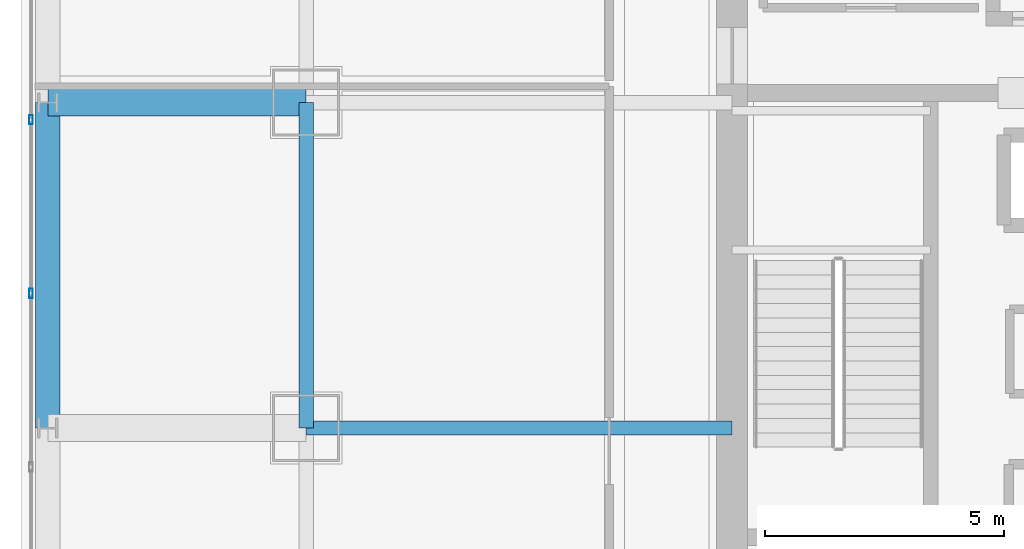
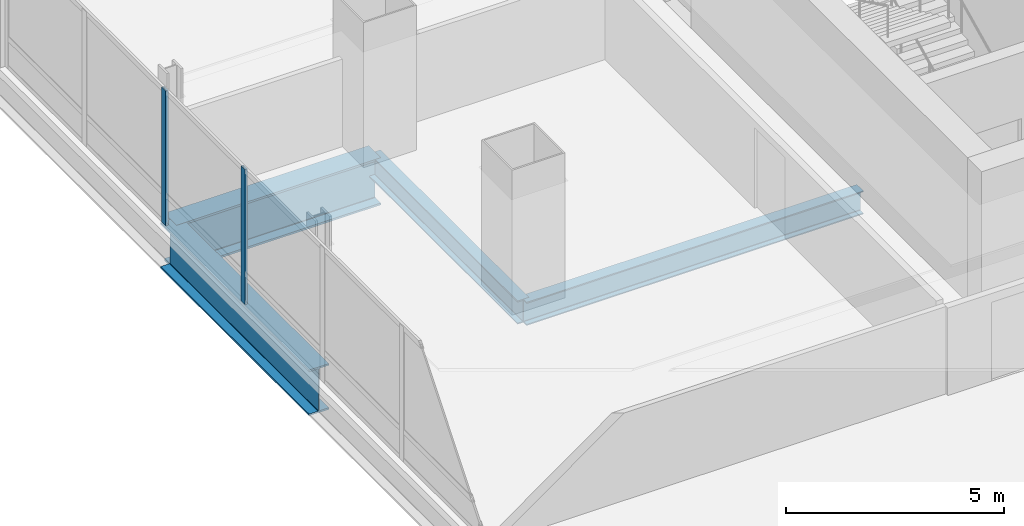
# One storey, part 10 of 46: 4 beams, 2 members, 1 element without a shape of its own.
"""IFC4 building model written with IfcOpenShell, lengths in metres."""

from ifc_helpers import new_model, si_unit, direction, frame, origin, origin_2d, place, context, subcontext, project, spatial, hollow_rectangle, i_section, extrude, material, material_profile, profile_set, type_object, element, aggregate, save


model = new_model("IFC4")

# Units and contexts
model_context = context("Model", 3, precision=1e-05, world=origin(), true_north=direction((0.0, 1.0)))
body_context = subcontext(model_context, "Body", "Model", "MODEL_VIEW")
ifc_project = project(units=[si_unit("LENGTHUNIT", "METRE"), si_unit("AREAUNIT", "SQUARE_METRE"), si_unit("VOLUMEUNIT", "CUBIC_METRE"), si_unit("PLANEANGLEUNIT", "RADIAN"), si_unit("MASSUNIT", "GRAM", prefix="KILO")], contexts=[model_context])

# Site, building, storey
site_placement = place(None, origin())
site = spatial("IfcSite", under=ifc_project, at=site_placement, CompositionType="ELEMENT")
building_placement = place(site_placement, origin())
building = spatial("IfcBuilding", under=site, at=building_placement, Name="Punatoya Terracotta Tower", CompositionType="ELEMENT")
storey_placement = place(building_placement, frame((0.0, 0.0, 200.550048828125)))
storey = spatial("IfcBuildingStorey", under=building, at=storey_placement, Name="L47", CompositionType="ELEMENT", Elevation=200.550048828125)

# Beams
ifc_material_1 = material(Name="Steel S355", Category="steel")
ifc_material_profile_1 = material_profile(ifc_material_1, i_section(OverallWidth=0.300048828125, OverallDepth=0.64990234375, WebThickness=0.01611328125, FlangeThickness=0.031005859375, FilletRadius=0.01806640625, at=origin_2d()))
ifc_profile_set_1 = profile_set([ifc_material_profile_1], Name="Steel S355")
beam_type_1 = type_object("IfcBeamType", Name="BM-PRI-650", PredefinedType="BEAM", material=ifc_profile_set_1)
beam_1_placement = place(storey_placement, frame((-19.10009765625, -3.39990234375, -0.545166015625), z_axis=(0.0, 1.0, 0.0), x_axis=(-1.0, 0.0, 0.0)))
element("IfcBeam", 1, at=beam_1_placement, inside=storey, type_object=beam_type_1, Name="BM-L47-RG-W2", PredefinedType="BEAM", context=body_context, shape_type="SweptSolid", body=[
    extrude(i_section(OverallWidth=0.300048828125, OverallDepth=0.64990234375, WebThickness=0.01611328125, FlangeThickness=0.031005859375, FilletRadius=0.01806640625, at=origin_2d()), origin(), (0.0, 0.0, 1.0), 6.7998046875),
])
beam_2_placement = place(storey_placement, frame((-19.10009765625, -3.39990234375, -0.545166015625), z_axis=(1.0, 0.0, 0.0), x_axis=(0.0, 1.0, 0.0)))
element("IfcBeam", 2, at=beam_2_placement, inside=storey, type_object=beam_type_1, Name="BM-L47-PR-WD", PredefinedType="BEAM", context=body_context, shape_type="SweptSolid", body=[
    extrude(i_section(OverallWidth=0.300048828125, OverallDepth=0.64990234375, WebThickness=0.01611328125, FlangeThickness=0.031005859375, FilletRadius=0.01806640625, at=origin_2d()), origin(), (0.0, 0.0, 1.0), 8.900146484375),
])
ifc_material_2 = material(Name="Steel S460", Category="steel")
ifc_material_profile_2 = material_profile(ifc_material_2, i_section(OverallWidth=0.56005859375, OverallDepth=1.320068359375, WebThickness=0.035888671875, FlangeThickness=0.054931640625, FilletRadius=0.01806640625, at=origin_2d()))
ifc_profile_set_2 = profile_set([ifc_material_profile_2], Name="Steel S460")
beam_type_2 = type_object("IfcBeamType", Name="BM-TG-BLK", PredefinedType="BEAM", material=ifc_profile_set_2)
beam_3_placement = place(storey_placement, frame((-24.5, 3.39990234375, -0.880126953125), z_axis=(1.0, 0.0, 0.0), x_axis=(0.0, 1.0, 0.0)))
element("IfcBeam", 3, at=beam_3_placement, inside=storey, type_object=beam_type_2, Name="BM-L47-CANT-W3", PredefinedType="BEAM", context=body_context, shape_type="SweptSolid", body=[
    extrude(i_section(OverallWidth=0.56005859375, OverallDepth=1.320068359375, WebThickness=0.035888671875, FlangeThickness=0.054931640625, FilletRadius=0.01806640625, at=origin_2d()), origin(), (0.0, 0.0, 1.0), 5.39990234375),
])
ifc_material_profile_3 = material_profile(ifc_material_2, i_section(OverallWidth=0.52001953125, OverallDepth=1.280029296875, WebThickness=0.031982421875, FlangeThickness=0.050048828125, FilletRadius=0.01806640625, at=origin_2d()))
ifc_profile_set_3 = profile_set([ifc_material_profile_3], Name="Steel S460")
beam_type_3 = type_object("IfcBeamType", Name="BM-TG-NCK", PredefinedType="BEAM", material=ifc_profile_set_3)
beam_4_placement = place(storey_placement, frame((-24.5, -3.39990234375, -0.860107421875), z_axis=(0.0, 1.0, 0.0), x_axis=(-1.0, 0.0, 0.0)))
element("IfcBeam", 4, at=beam_4_placement, inside=storey, type_object=beam_type_3, Name="BM-L47-PER-W2", PredefinedType="BEAM", context=body_context, shape_type="SweptSolid", body=[
    extrude(i_section(OverallWidth=0.52001953125, OverallDepth=1.280029296875, WebThickness=0.031982421875, FlangeThickness=0.050048828125, FilletRadius=0.01806640625, at=origin_2d()), origin(), (0.0, 0.0, 1.0), 6.7998046875),
])

# Curtain wall, members
ifc_material_3 = material(Name="Aluminium 6063-T6 + Double Low-E Glass", Category="aluminium")
curtain_wall_type = type_object("IfcCurtainWallType", Name="CW-M2", PredefinedType="NOTDEFINED", material=ifc_material_3)
curtain_wall_placement = place(storey_placement, origin())
curtain_wall = element("IfcCurtainWall", 5, at=curtain_wall_placement, inside=storey, type_object=curtain_wall_type, Name="L47 Curtain Wall CW-L47-W13-1", PredefinedType="NOTDEFINED")
ifc_material_4 = material(Name="Aluminium 6063-T6", Category="aluminium")
ifc_material_profile_4 = material_profile(ifc_material_4, hollow_rectangle(XDim=0.072021484375, YDim=0.195068359375, WallThickness=0.00439453125, at=origin_2d()))
ifc_profile_set_4 = profile_set([ifc_material_profile_4], Name="Aluminium 6063-T6")
member_type = type_object("IfcMemberType", Name="CW-MUL-M2", PredefinedType="MULLION", material=ifc_profile_set_4)
member_1_placement = place(storey_placement, frame((-24.85009765625, 3.04296875, 0.0), z_axis=(0.0, 0.0, 1.0), x_axis=(1.0, 0.0, 0.0)))
member_1 = element("IfcMember", 6, at=member_1_placement, type_object=member_type, Name="CW-L47-W13-1 Mullion 02", PredefinedType="MULLION", context=body_context, shape_type="SweptSolid", body=[
    extrude(hollow_rectangle(XDim=0.072021484375, YDim=0.195068359375, WallThickness=0.00439453125, at=origin_2d()), origin(), (0.0, 0.0, 1.0), 3.77001953125),
])
member_2_placement = place(storey_placement, frame((-24.85009765625, -0.585693359375, 0.0), z_axis=(0.0, 0.0, 1.0), x_axis=(1.0, 0.0, 0.0)))
member_2 = element("IfcMember", 7, at=member_2_placement, type_object=member_type, Name="CW-L47-W13-1 Mullion 03", PredefinedType="MULLION", context=body_context, shape_type="SweptSolid", body=[
    extrude(hollow_rectangle(XDim=0.072021484375, YDim=0.195068359375, WallThickness=0.00439453125, at=origin_2d()), origin(), (0.0, 0.0, 1.0), 3.77001953125),
])
aggregate(curtain_wall, [member_1, member_2])

save(model, "model.ifc")
